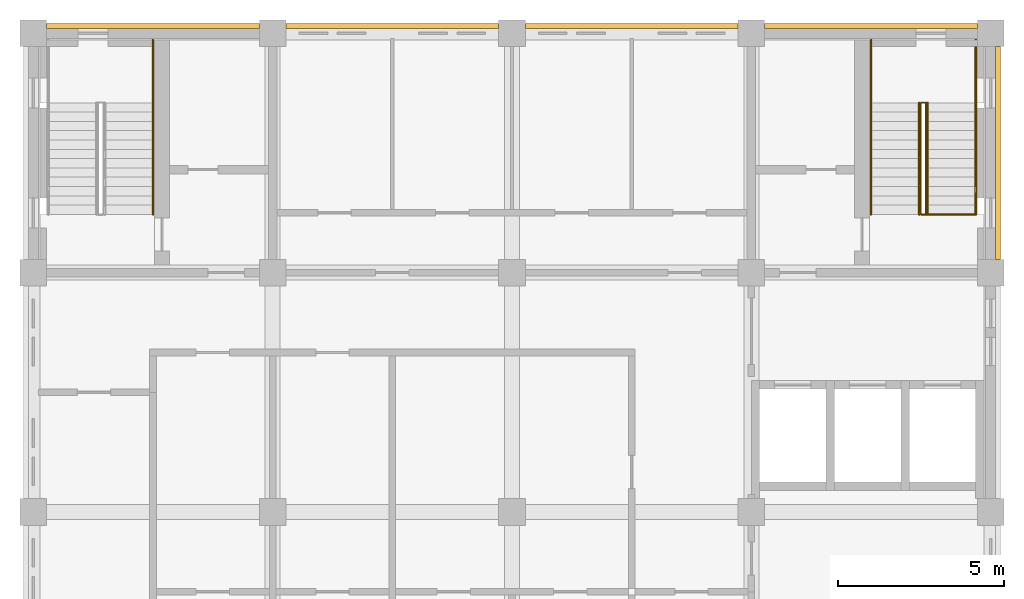
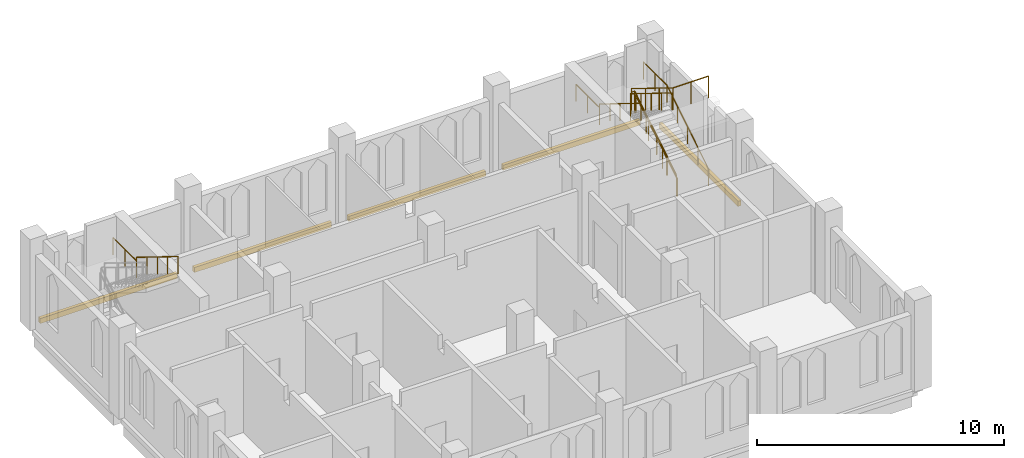
# One storey, part 11 of 11: 6 railings, 5 coverings.
"""IFC4 building model written with IfcOpenShell, lengths in metres."""

from ifc_helpers import new_model, si_unit, direction, frame, origin, origin_2d, place, context, subcontext, project, spatial, rectangle, circle, extrude, material, type_object, element, save


model = new_model("IFC4")

# Units and contexts
model_context = context("Model", 3, precision=1e-05, world=origin(), true_north=direction((0.0, 1.0)))
body_context = subcontext(model_context, "Body", "Model", "MODEL_VIEW")
ifc_project = project(units=[si_unit("LENGTHUNIT", "METRE"), si_unit("AREAUNIT", "SQUARE_METRE"), si_unit("VOLUMEUNIT", "CUBIC_METRE"), si_unit("PLANEANGLEUNIT", "RADIAN"), si_unit("MASSUNIT", "GRAM", prefix="KILO")], contexts=[model_context])

# Site, building, storey
site_placement = place(None, origin())
site = spatial("IfcSite", under=ifc_project, at=site_placement, CompositionType="ELEMENT")
building_placement = place(site_placement, origin())
building = spatial("IfcBuilding", under=site, at=building_placement, Name="Silangan Lancet Faculty of Sciences", CompositionType="ELEMENT")
storey_placement = place(building_placement, frame((0.0, 0.0, 45.300048828125)))
storey = spatial("IfcBuildingStorey", under=building, at=storey_placement, Name="L09", CompositionType="ELEMENT", Elevation=45.300048828125)

# Coverings
ifc_material_1 = material(Name="Concrete C40/50 precast", Category="concrete")
covering_type = type_object("IfcCoveringType", Name="SC1 Precast string course 250 x 150", PredefinedType="CLADDING", material=ifc_material_1)
covering_placement = place(storey_placement, frame((29.02490234375, 54.0, -0.25), z_axis=(0.0, 0.0, 1.0), x_axis=(1.0, 0.0, 0.0)))
element("IfcCovering", 1, at=covering_placement, inside=storey, type_object=covering_type, Name="SC-L09-E-NT-02", PredefinedType="CLADDING", context=body_context, shape_type="SweptSolid", body=[
    extrude(rectangle(XDim=0.14990234375, YDim=6.39990234375, at=origin_2d()), origin(), (0.0, 0.0, 1.0), 0.25),
])
for number, where, z_axis, x_axis, name in (
    (2, (25.199951171875, 57.824951171875, -0.25), (0.0, 0.0, 1.0), (1.0, 0.0, 0.0), "SC-L09-N-NT-00"),
    (3, (18.0, 57.824951171875, -0.25), (0.0, 0.0, 1.0), (1.0, 0.0, 0.0), "SC-L09-N-NT-01"),
    (4, (10.800048828125, 57.824951171875, -0.25), (0.0, 0.0, 1.0), (1.0, 0.0, 0.0), "SC-L09-N-NT-02"),
    (5, (3.60009765625, 57.824951171875, -0.25), (0.0, 0.0, 1.0), (1.0, 0.0, 0.0), "SC-L09-N-NT-03"),
):
    element("IfcCovering", number, at=place(storey_placement, frame(where, z_axis=z_axis, x_axis=x_axis)), inside=storey, type_object=covering_type, Name=name, PredefinedType="CLADDING", context=body_context, shape_type="SweptSolid", body=[
        extrude(rectangle(XDim=6.39990234375, YDim=0.14990234375, at=origin_2d()), origin(), (0.0, 0.0, 1.0), 0.25),
    ])

# Railings
ifc_material_2 = material(Name="Steel balustrade", Category="steel")
railing_type_1 = type_object("IfcRailingType", Name="STAIR GUARD 1100", PredefinedType="GUARDRAIL", material=ifc_material_2)
railing_1_placement = place(storey_placement, frame((26.85009765625, 52.14990234375, 0.173095703125)))
element("IfcRailing", 6, at=railing_1_placement, inside=storey, type_object=railing_type_1, Name="GUARD-NT-B-L09", PredefinedType="GUARDRAIL", context=body_context, shape_type="SweptSolid", body=[
    extrude(circle(Radius=0.02392578125, at=origin_2d()), frame((0.0, 0.0, 1.076171875), z_axis=(0.0, 0.850623216509, 0.525775754039), x_axis=(-1.0, 0.0, 0.0)), (0.0, 0.0, 1.0), 3.9501953125),
    extrude(circle(Radius=0.02392578125, at=origin_2d()), frame((0.0, 3.360107421875, 3.15283203125), z_axis=(-1.0, 0.0, 0.0), x_axis=(0.0, -1.0, 0.0)), (0.0, 0.0, 1.0), 0.150146484375),
    extrude(circle(Radius=0.02392578125, at=origin_2d()), frame((-0.150146484375, 3.360107421875, 3.15283203125), z_axis=(0.0, 0.0, 1.0), x_axis=(1.0, 0.0, 0.0)), (0.0, 0.0, 1.0), 0.173095703125),
    extrude(circle(Radius=0.02392578125, at=origin_2d()), frame((-0.150146484375, 3.360107421875, 3.326171875), z_axis=(0.0, -0.850623216509, 0.525775754039), x_axis=(1.0, 0.0, 0.0)), (0.0, 0.0, 1.0), 3.9501953125),
    extrude(circle(Radius=0.02392578125, at=origin_2d()), frame((-0.150146484375, 0.0, 5.40283203125), z_axis=(1.0, 0.0, 0.0), x_axis=(0.0, 1.0, 0.0)), (0.0, 0.0, 1.0), 1.650146484375),
    extrude(circle(Radius=0.02099609375, at=origin_2d()), origin(), (0.0, 0.0, 1.0), 1.052001953125),
    extrude(circle(Radius=0.02099609375, at=origin_2d()), frame((0.0, 1.1201171875, 0.6923828125)), (0.0, 0.0, 1.0), 1.052001953125),
    extrude(circle(Radius=0.02099609375, at=origin_2d()), frame((0.0, 2.239990234375, 1.384521484375)), (0.0, 0.0, 1.0), 1.052001953125),
    extrude(circle(Radius=0.02099609375, at=origin_2d()), frame((0.0, 3.360107421875, 2.076904296875)), (0.0, 0.0, 1.0), 1.052001953125),
    extrude(circle(Radius=0.02099609375, at=origin_2d()), frame((-0.150146484375, 3.360107421875, 2.076904296875)), (0.0, 0.0, 1.0), 1.052001953125),
    extrude(circle(Radius=0.02099609375, at=origin_2d()), frame((-0.150146484375, 3.360107421875, 2.25)), (0.0, 0.0, 1.0), 1.052001953125),
    extrude(circle(Radius=0.02099609375, at=origin_2d()), frame((-0.150146484375, 2.239990234375, 2.9423828125)), (0.0, 0.0, 1.0), 1.052001953125),
    extrude(circle(Radius=0.02099609375, at=origin_2d()), frame((-0.150146484375, 1.1201171875, 3.634521484375)), (0.0, 0.0, 1.0), 1.052001953125),
    extrude(circle(Radius=0.02099609375, at=origin_2d()), frame((-0.150146484375, 0.0, 4.326904296875)), (0.0, 0.0, 1.0), 1.052001953125),
    extrude(circle(Radius=0.02099609375, at=origin_2d()), frame((0.6748046875, 0.0, 4.326904296875)), (0.0, 0.0, 1.0), 1.052001953125),
    extrude(circle(Radius=0.02099609375, at=origin_2d()), frame((1.5, 0.0, 4.326904296875)), (0.0, 0.0, 1.0), 1.052001953125),
])
ifc_material_3 = material(Name="Stainless steel", Category="steel")
railing_type_2 = type_object("IfcRailingType", Name="STAIR HANDRAIL 865", PredefinedType="HANDRAIL", material=ifc_material_3)
railing_2_placement = place(storey_placement, frame((3.60009765625, 57.39990234375, 2.25)))
element("IfcRailing", 7, at=railing_2_placement, inside=storey, type_object=railing_type_2, Name="HANDRAIL-NT-A-L09-O2", PredefinedType="HANDRAIL", context=body_context, shape_type="SweptSolid", body=[
    extrude(circle(Radius=0.02392578125, at=origin_2d()), frame((0.0, 0.0, 0.8408203125), z_axis=(0.0, -1.0, 0.0), x_axis=(1.0, 0.0, 0.0)), (0.0, 0.0, 1.0), 1.889892578125),
    extrude(circle(Radius=0.02392578125, at=origin_2d()), frame((0.0, -1.889892578125, 0.8408203125), z_axis=(0.0, 0.0, 1.0), x_axis=(1.0, 0.0, 0.0)), (0.0, 0.0, 1.0), 0.173095703125),
    extrude(circle(Radius=0.02392578125, at=origin_2d()), frame((0.0, -1.889892578125, 1.01416015625), z_axis=(0.0, -0.850723215571, 0.525613936734), x_axis=(1.0, 0.0, 0.0)), (0.0, 0.0, 1.0), 0.987548828125),
    extrude(circle(Radius=0.02392578125, at=origin_2d()), frame((0.0, -2.72998046875, 1.533203125), z_axis=(0.0, -0.850544299321, 0.52590340833), x_axis=(1.0, 0.0, 0.0)), (0.0, 0.0, 1.0), 0.9873046875),
    extrude(circle(Radius=0.02392578125, at=origin_2d()), frame((0.0, -3.56982421875, 2.05224609375), z_axis=(0.0, -0.85061266112, 0.525792830631), x_axis=(1.0, 0.0, 0.0)), (0.0, 0.0, 1.0), 0.987548828125),
    extrude(circle(Radius=0.02392578125, at=origin_2d()), frame((0.0, -4.409912109375, 2.57177734375), z_axis=(0.0, -0.85061266112, 0.525792830631), x_axis=(1.0, 0.0, 0.0)), (0.0, 0.0, 1.0), 0.987548828125),
    extrude(circle(Radius=0.02099609375, at=origin_2d()), origin(), (0.0, 0.0, 1.0), 0.81689453125),
    extrude(circle(Radius=0.02099609375, at=origin_2d()), frame((0.0, -0.94482421875, 0.0)), (0.0, 0.0, 1.0), 0.81689453125),
    extrude(circle(Radius=0.02099609375, at=origin_2d()), frame((0.0, -1.889892578125, 0.0)), (0.0, 0.0, 1.0), 0.81689453125),
    extrude(circle(Radius=0.02099609375, at=origin_2d()), frame((0.0, -1.889892578125, 0.173095703125)), (0.0, 0.0, 1.0), 0.81689453125),
    extrude(circle(Radius=0.02099609375, at=origin_2d()), frame((0.0, -2.72998046875, 0.692138671875)), (0.0, 0.0, 1.0), 0.81689453125),
    extrude(circle(Radius=0.02099609375, at=origin_2d()), frame((0.0, -3.56982421875, 1.21142578125)), (0.0, 0.0, 1.0), 0.81689453125),
    extrude(circle(Radius=0.02099609375, at=origin_2d()), frame((0.0, -4.409912109375, 1.730712890625)), (0.0, 0.0, 1.0), 0.81689453125),
    extrude(circle(Radius=0.02099609375, at=origin_2d()), frame((0.0, -5.25, 2.25)), (0.0, 0.0, 1.0), 0.81689453125),
])
railing_3_placement = place(storey_placement, frame((28.35009765625, 52.14990234375, 0.173095703125)))
element("IfcRailing", 8, at=railing_3_placement, inside=storey, type_object=railing_type_2, Name="HANDRAIL-NT-B-L09-O1", PredefinedType="HANDRAIL", context=body_context, shape_type="SweptSolid", body=[
    extrude(circle(Radius=0.02392578125, at=origin_2d()), frame((0.0, 0.0, 0.8408203125), z_axis=(0.0, 0.850723215571, 0.525613936734), x_axis=(-1.0, 0.0, 0.0)), (0.0, 0.0, 1.0), 0.987548828125),
    extrude(circle(Radius=0.02392578125, at=origin_2d()), frame((0.0, 0.840087890625, 1.35986328125), z_axis=(0.0, 0.85061266112, 0.525792830631), x_axis=(-1.0, 0.0, 0.0)), (0.0, 0.0, 1.0), 0.987548828125),
    extrude(circle(Radius=0.02392578125, at=origin_2d()), frame((0.0, 1.68017578125, 1.87939453125), z_axis=(0.0, 0.850544299321, 0.52590340833), x_axis=(-1.0, 0.0, 0.0)), (0.0, 0.0, 1.0), 0.9873046875),
    extrude(circle(Radius=0.02392578125, at=origin_2d()), frame((0.0, 2.52001953125, 2.3984375), z_axis=(0.0, 0.85061266112, 0.525792830631), x_axis=(-1.0, 0.0, 0.0)), (0.0, 0.0, 1.0), 0.987548828125),
    extrude(circle(Radius=0.02392578125, at=origin_2d()), frame((0.0, 3.360107421875, 2.91796875), z_axis=(0.0, 1.0, 0.0), x_axis=(-1.0, 0.0, 0.0)), (0.0, 0.0, 1.0), 1.889892578125),
    extrude(circle(Radius=0.02099609375, at=origin_2d()), origin(), (0.0, 0.0, 1.0), 0.81689453125),
    extrude(circle(Radius=0.02099609375, at=origin_2d()), frame((0.0, 0.840087890625, 0.51904296875)), (0.0, 0.0, 1.0), 0.81689453125),
    extrude(circle(Radius=0.02099609375, at=origin_2d()), frame((0.0, 1.68017578125, 1.038330078125)), (0.0, 0.0, 1.0), 0.81689453125),
    extrude(circle(Radius=0.02099609375, at=origin_2d()), frame((0.0, 2.52001953125, 1.5576171875)), (0.0, 0.0, 1.0), 0.81689453125),
    extrude(circle(Radius=0.02099609375, at=origin_2d()), frame((0.0, 3.360107421875, 2.076904296875)), (0.0, 0.0, 1.0), 0.81689453125),
    extrude(circle(Radius=0.02099609375, at=origin_2d()), frame((0.0, 4.30517578125, 2.076904296875)), (0.0, 0.0, 1.0), 0.81689453125),
    extrude(circle(Radius=0.02099609375, at=origin_2d()), frame((0.0, 5.25, 2.076904296875)), (0.0, 0.0, 1.0), 0.81689453125),
])
railing_4_placement = place(storey_placement, frame((26.89990234375, 52.14990234375, 0.173095703125)))
element("IfcRailing", 9, at=railing_4_placement, inside=storey, type_object=railing_type_2, Name="HANDRAIL-NT-B-L09-I1", PredefinedType="HANDRAIL", context=body_context, shape_type="SweptSolid", body=[
    extrude(circle(Radius=0.02392578125, at=origin_2d()), frame((0.0, 0.0, 0.8408203125), z_axis=(0.0, 0.850723215571, 0.525613936734), x_axis=(-1.0, 0.0, 0.0)), (0.0, 0.0, 1.0), 0.987548828125),
    extrude(circle(Radius=0.02392578125, at=origin_2d()), frame((0.0, 0.840087890625, 1.35986328125), z_axis=(0.0, 0.85061266112, 0.525792830631), x_axis=(-1.0, 0.0, 0.0)), (0.0, 0.0, 1.0), 0.987548828125),
    extrude(circle(Radius=0.02392578125, at=origin_2d()), frame((0.0, 1.68017578125, 1.87939453125), z_axis=(0.0, 0.850544299321, 0.52590340833), x_axis=(-1.0, 0.0, 0.0)), (0.0, 0.0, 1.0), 0.9873046875),
    extrude(circle(Radius=0.02392578125, at=origin_2d()), frame((0.0, 2.52001953125, 2.3984375), z_axis=(0.0, 0.85061266112, 0.525792830631), x_axis=(-1.0, 0.0, 0.0)), (0.0, 0.0, 1.0), 0.987548828125),
    extrude(circle(Radius=0.02099609375, at=origin_2d()), origin(), (0.0, 0.0, 1.0), 0.81689453125),
    extrude(circle(Radius=0.02099609375, at=origin_2d()), frame((0.0, 0.840087890625, 0.51904296875)), (0.0, 0.0, 1.0), 0.81689453125),
    extrude(circle(Radius=0.02099609375, at=origin_2d()), frame((0.0, 1.68017578125, 1.038330078125)), (0.0, 0.0, 1.0), 0.81689453125),
    extrude(circle(Radius=0.02099609375, at=origin_2d()), frame((0.0, 2.52001953125, 1.5576171875)), (0.0, 0.0, 1.0), 0.81689453125),
    extrude(circle(Radius=0.02099609375, at=origin_2d()), frame((0.0, 3.360107421875, 2.076904296875)), (0.0, 0.0, 1.0), 0.81689453125),
])
railing_5_placement = place(storey_placement, frame((25.199951171875, 57.39990234375, 2.25)))
element("IfcRailing", 10, at=railing_5_placement, inside=storey, type_object=railing_type_2, Name="HANDRAIL-NT-B-L09-O2", PredefinedType="HANDRAIL", context=body_context, shape_type="SweptSolid", body=[
    extrude(circle(Radius=0.02392578125, at=origin_2d()), frame((0.0, 0.0, 0.8408203125), z_axis=(0.0, -1.0, 0.0), x_axis=(1.0, 0.0, 0.0)), (0.0, 0.0, 1.0), 1.889892578125),
    extrude(circle(Radius=0.02392578125, at=origin_2d()), frame((0.0, -1.889892578125, 0.8408203125), z_axis=(0.0, 0.0, 1.0), x_axis=(1.0, 0.0, 0.0)), (0.0, 0.0, 1.0), 0.173095703125),
    extrude(circle(Radius=0.02392578125, at=origin_2d()), frame((0.0, -1.889892578125, 1.01416015625), z_axis=(0.0, -0.850723215571, 0.525613936734), x_axis=(1.0, 0.0, 0.0)), (0.0, 0.0, 1.0), 0.987548828125),
    extrude(circle(Radius=0.02392578125, at=origin_2d()), frame((0.0, -2.72998046875, 1.533203125), z_axis=(0.0, -0.850544299321, 0.52590340833), x_axis=(1.0, 0.0, 0.0)), (0.0, 0.0, 1.0), 0.9873046875),
    extrude(circle(Radius=0.02392578125, at=origin_2d()), frame((0.0, -3.56982421875, 2.05224609375), z_axis=(0.0, -0.85061266112, 0.525792830631), x_axis=(1.0, 0.0, 0.0)), (0.0, 0.0, 1.0), 0.987548828125),
    extrude(circle(Radius=0.02392578125, at=origin_2d()), frame((0.0, -4.409912109375, 2.57177734375), z_axis=(0.0, -0.85061266112, 0.525792830631), x_axis=(1.0, 0.0, 0.0)), (0.0, 0.0, 1.0), 0.987548828125),
    extrude(circle(Radius=0.02099609375, at=origin_2d()), origin(), (0.0, 0.0, 1.0), 0.81689453125),
    extrude(circle(Radius=0.02099609375, at=origin_2d()), frame((0.0, -0.94482421875, 0.0)), (0.0, 0.0, 1.0), 0.81689453125),
    extrude(circle(Radius=0.02099609375, at=origin_2d()), frame((0.0, -1.889892578125, 0.0)), (0.0, 0.0, 1.0), 0.81689453125),
    extrude(circle(Radius=0.02099609375, at=origin_2d()), frame((0.0, -1.889892578125, 0.173095703125)), (0.0, 0.0, 1.0), 0.81689453125),
    extrude(circle(Radius=0.02099609375, at=origin_2d()), frame((0.0, -2.72998046875, 0.692138671875)), (0.0, 0.0, 1.0), 0.81689453125),
    extrude(circle(Radius=0.02099609375, at=origin_2d()), frame((0.0, -3.56982421875, 1.21142578125)), (0.0, 0.0, 1.0), 0.81689453125),
    extrude(circle(Radius=0.02099609375, at=origin_2d()), frame((0.0, -4.409912109375, 1.730712890625)), (0.0, 0.0, 1.0), 0.81689453125),
    extrude(circle(Radius=0.02099609375, at=origin_2d()), frame((0.0, -5.25, 2.25)), (0.0, 0.0, 1.0), 0.81689453125),
])
railing_6_placement = place(storey_placement, frame((26.64990234375, 55.510009765625, 2.423095703125)))
element("IfcRailing", 11, at=railing_6_placement, inside=storey, type_object=railing_type_2, Name="HANDRAIL-NT-B-L09-I2", PredefinedType="HANDRAIL", context=body_context, shape_type="SweptSolid", body=[
    extrude(circle(Radius=0.02392578125, at=origin_2d()), frame((0.0, 0.0, 0.8408203125), z_axis=(0.0, -0.850723215571, 0.525613936734), x_axis=(1.0, 0.0, 0.0)), (0.0, 0.0, 1.0), 0.987548828125),
    extrude(circle(Radius=0.02392578125, at=origin_2d()), frame((0.0, -0.840087890625, 1.35986328125), z_axis=(0.0, -0.850544299321, 0.52590340833), x_axis=(1.0, 0.0, 0.0)), (0.0, 0.0, 1.0), 0.9873046875),
    extrude(circle(Radius=0.02392578125, at=origin_2d()), frame((0.0, -1.679931640625, 1.87939453125), z_axis=(0.0, -0.85061266112, 0.525792830631), x_axis=(1.0, 0.0, 0.0)), (0.0, 0.0, 1.0), 0.987548828125),
    extrude(circle(Radius=0.02392578125, at=origin_2d()), frame((0.0, -2.52001953125, 2.3984375), z_axis=(0.0, -0.85061266112, 0.525792830631), x_axis=(1.0, 0.0, 0.0)), (0.0, 0.0, 1.0), 0.987548828125),
    extrude(circle(Radius=0.02099609375, at=origin_2d()), origin(), (0.0, 0.0, 1.0), 0.81689453125),
    extrude(circle(Radius=0.02099609375, at=origin_2d()), frame((0.0, -0.840087890625, 0.51904296875)), (0.0, 0.0, 1.0), 0.81689453125),
    extrude(circle(Radius=0.02099609375, at=origin_2d()), frame((0.0, -1.679931640625, 1.038330078125)), (0.0, 0.0, 1.0), 0.81689453125),
    extrude(circle(Radius=0.02099609375, at=origin_2d()), frame((0.0, -2.52001953125, 1.5576171875)), (0.0, 0.0, 1.0), 0.81689453125),
    extrude(circle(Radius=0.02099609375, at=origin_2d()), frame((0.0, -3.360107421875, 2.076904296875)), (0.0, 0.0, 1.0), 0.81689453125),
])

save(model, "model.ifc")
